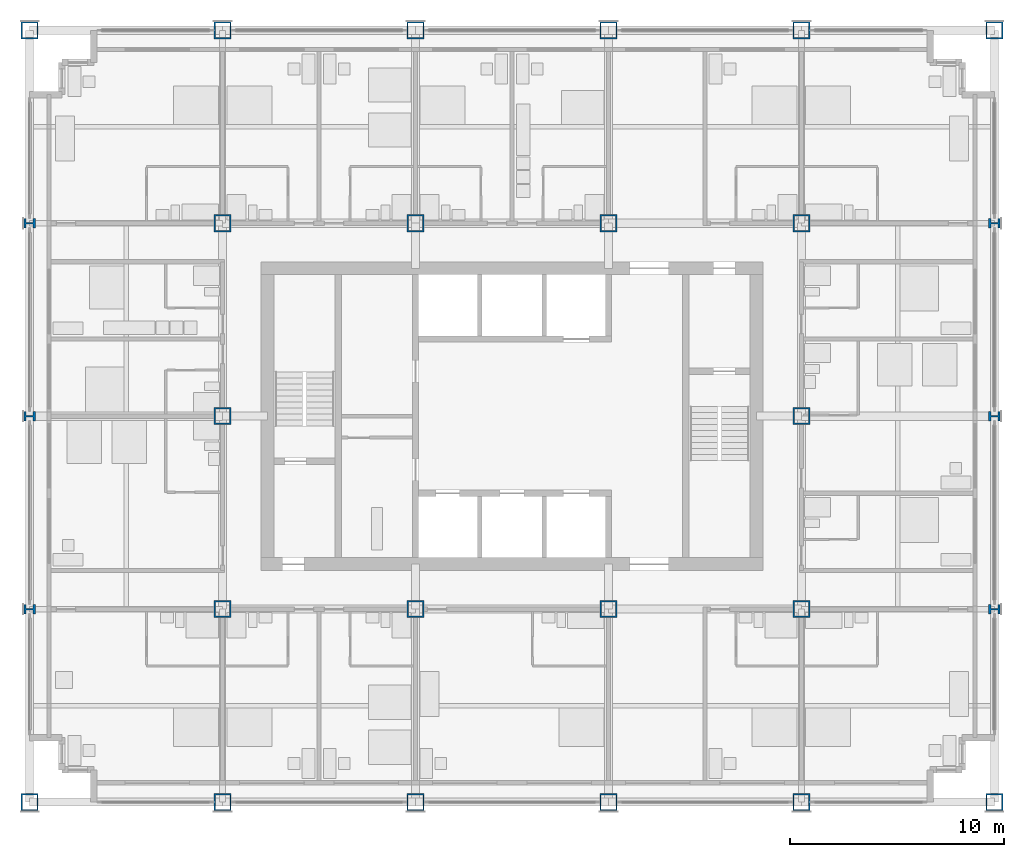
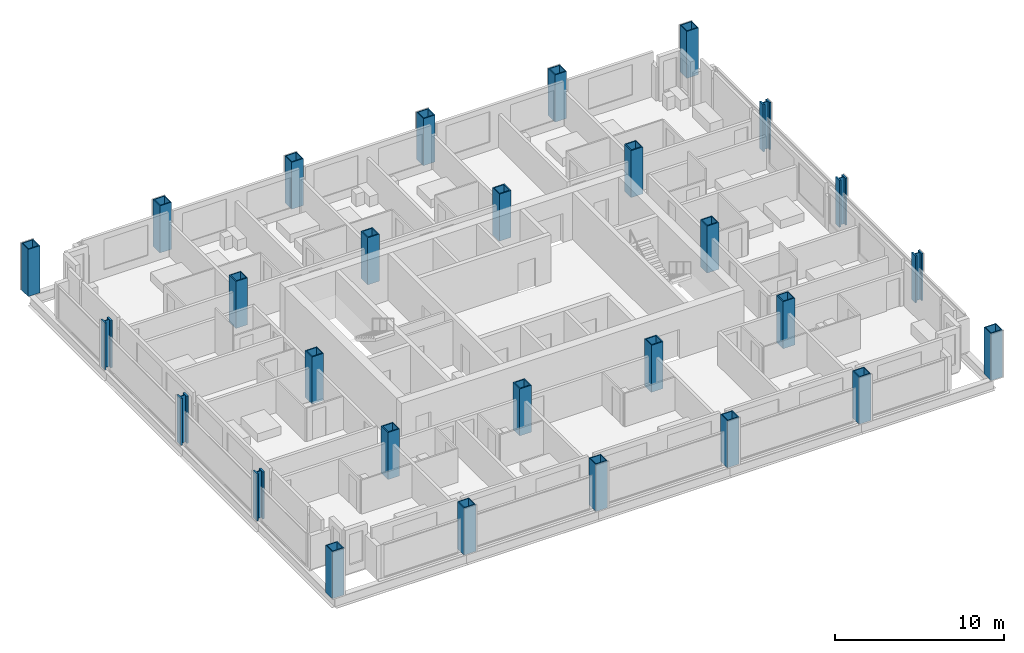
# One storey, part 1 of 17: 28 columns.
"""IFC4 building model written with IfcOpenShell, lengths in metres."""

from ifc_helpers import new_model, si_unit, direction, frame, origin, origin_2d, place, context, subcontext, project, spatial, hollow_rectangle, i_section, extrude, material, material_profile, profile_set, type_object, element, save


model = new_model("IFC4")

# Units and contexts
model_context = context("Model", 3, precision=1e-05, world=origin(), true_north=direction((0.0, 1.0)))
body_context = subcontext(model_context, "Body", "Model", "MODEL_VIEW")
ifc_project = project(units=[si_unit("LENGTHUNIT", "METRE"), si_unit("AREAUNIT", "SQUARE_METRE"), si_unit("VOLUMEUNIT", "CUBIC_METRE"), si_unit("PLANEANGLEUNIT", "RADIAN"), si_unit("MASSUNIT", "GRAM", prefix="KILO")], contexts=[model_context])

# Site, building, storey
site_placement = place(None, origin())
site = spatial("IfcSite", under=ifc_project, at=site_placement, CompositionType="ELEMENT")
building_placement = place(site_placement, origin())
building = spatial("IfcBuilding", under=site, at=building_placement, Name="Loomwork Tower", CompositionType="ELEMENT")
storey_placement = place(building_placement, frame((0.0, 0.0, 141.800048828125)))
storey = spatial("IfcBuildingStorey", under=building, at=storey_placement, Name="L38", CompositionType="ELEMENT", Elevation=141.800048828125)

# Columns
ifc_material_1 = material(Name="Steel ASTM A572 Grade 50 plate", Category="steel")
ifc_material_profile_1 = material_profile(ifc_material_1, hollow_rectangle(XDim=0.800048828125, YDim=0.800048828125, WallThickness=0.06005859375, at=origin_2d()), Name="BOX800x60")
ifc_profile_set_1 = profile_set([ifc_material_profile_1], Name="Steel ASTM A572 Grade 50 plate")
column_type_1 = type_object("IfcColumnType", Name="EXOSKELETON PIER BOX800x60", PredefinedType="COLUMN", material=ifc_profile_set_1)
for number, where, z_axis, x_axis, name in (
    (1, (0.0, 0.0, 0.0), (0.0, 0.0, 1.0), (1.0, 0.0, 0.0), "Exoskeleton Pier D/2 L38"),
    (2, (0.0, 36.0, 0.0), (0.0, 0.0, 1.0), (1.0, 0.0, 0.0), "Exoskeleton Pier H/2 L38"),
    (3, (9.0, 0.0, 0.0), (0.0, 0.0, 1.0), (1.0, 0.0, 0.0), "Exoskeleton Pier D/3 L38"),
    (4, (9.0, 36.0, 0.0), (0.0, 0.0, 1.0), (1.0, 0.0, 0.0), "Exoskeleton Pier H/3 L38"),
    (5, (18.0, 0.0, 0.0), (0.0, 0.0, 1.0), (1.0, 0.0, 0.0), "Exoskeleton Pier D/4 L38"),
    (6, (18.0, 36.0, 0.0), (0.0, 0.0, 1.0), (1.0, 0.0, 0.0), "Exoskeleton Pier H/4 L38"),
    (7, (27.0, 0.0, 0.0), (0.0, 0.0, 1.0), (1.0, 0.0, 0.0), "Exoskeleton Pier D/5 L38"),
    (8, (27.0, 36.0, 0.0), (0.0, 0.0, 1.0), (1.0, 0.0, 0.0), "Exoskeleton Pier H/5 L38"),
    (9, (36.0, 0.0, 0.0), (0.0, 0.0, 1.0), (1.0, 0.0, 0.0), "Exoskeleton Pier D/6 L38"),
    (10, (36.0, 36.0, 0.0), (0.0, 0.0, 1.0), (1.0, 0.0, 0.0), "Exoskeleton Pier H/6 L38"),
    (11, (45.0, 0.0, 0.0), (0.0, 0.0, 1.0), (1.0, 0.0, 0.0), "Exoskeleton Pier D/7 L38"),
    (12, (45.0, 36.0, 0.0), (0.0, 0.0, 1.0), (1.0, 0.0, 0.0), "Exoskeleton Pier H/7 L38"),
):
    element("IfcColumn", number, at=place(storey_placement, frame(where, z_axis=z_axis, x_axis=x_axis)), inside=storey, type_object=column_type_1, Name=name, PredefinedType="COLUMN", context=body_context, shape_type="SweptSolid", body=[
        extrude(hollow_rectangle(XDim=0.800048828125, YDim=0.800048828125, WallThickness=0.06005859375, at=origin_2d()), origin(), (0.0, 0.0, 1.0), 3.39990234375),
    ])
ifc_material_2 = material(Name="Steel ASTM A992", Category="steel")
ifc_material_profile_2 = material_profile(ifc_material_2, i_section(OverallWidth=0.44189453125, OverallDepth=0.53076171875, WebThickness=0.06591796875, FlangeThickness=0.105712890625, at=origin_2d()), Name="W14x605")
ifc_profile_set_2 = profile_set([ifc_material_profile_2], Name="Steel ASTM A992")
column_type_2 = type_object("IfcColumnType", Name="EXOSKELETON PIER W14x605", PredefinedType="COLUMN", material=ifc_profile_set_2)
for number, where, z_axis, x_axis, name in (
    (13, (0.0, 9.0, 0.0), (0.0, 0.0, 1.0), (0.0, 1.0, 0.0), "Exoskeleton Pier E/2 L38"),
    (14, (0.0, 18.0, 0.0), (0.0, 0.0, 1.0), (0.0, 1.0, 0.0), "Exoskeleton Pier F/2 L38"),
    (15, (0.0, 27.0, 0.0), (0.0, 0.0, 1.0), (0.0, 1.0, 0.0), "Exoskeleton Pier G/2 L38"),
    (16, (45.0, 9.0, 0.0), (0.0, 0.0, 1.0), (0.0, 1.0, 0.0), "Exoskeleton Pier E/7 L38"),
    (17, (45.0, 18.0, 0.0), (0.0, 0.0, 1.0), (0.0, 1.0, 0.0), "Exoskeleton Pier F/7 L38"),
    (18, (45.0, 27.0, 0.0), (0.0, 0.0, 1.0), (0.0, 1.0, 0.0), "Exoskeleton Pier G/7 L38"),
):
    element("IfcColumn", number, at=place(storey_placement, frame(where, z_axis=z_axis, x_axis=x_axis)), inside=storey, type_object=column_type_2, Name=name, PredefinedType="COLUMN", context=body_context, shape_type="SweptSolid", body=[
        extrude(i_section(OverallWidth=0.44189453125, OverallDepth=0.53076171875, WebThickness=0.06591796875, FlangeThickness=0.105712890625, at=origin_2d()), origin(), (0.0, 0.0, 1.0), 3.39990234375),
    ])
ifc_material_3 = material(Name="Steel ASTM A572 Grade 50 plate", Category="steel")
ifc_material_profile_3 = material_profile(ifc_material_3, hollow_rectangle(XDim=0.800048828125, YDim=0.800048828125, WallThickness=0.070068359375, at=origin_2d()), Name="BOX800x70")
ifc_profile_set_3 = profile_set([ifc_material_profile_3], Name="Steel ASTM A572 Grade 50 plate")
column_type_3 = type_object("IfcColumnType", Name="TOWER COLUMN BOX800x70", PredefinedType="COLUMN", material=ifc_profile_set_3)
for number, where, z_axis, x_axis, name in (
    (19, (9.0, 9.0, 0.0), (0.0, 0.0, 1.0), (1.0, 0.0, 0.0), "Tower Column E/3 L38"),
    (20, (9.0, 18.0, 0.0), (0.0, 0.0, 1.0), (1.0, 0.0, 0.0), "Tower Column F/3 L38"),
    (21, (9.0, 27.0, 0.0), (0.0, 0.0, 1.0), (1.0, 0.0, 0.0), "Tower Column G/3 L38"),
    (22, (18.0, 9.0, 0.0), (0.0, 0.0, 1.0), (1.0, 0.0, 0.0), "Tower Column E/4 L38"),
    (23, (18.0, 27.0, 0.0), (0.0, 0.0, 1.0), (1.0, 0.0, 0.0), "Tower Column G/4 L38"),
    (24, (27.0, 9.0, 0.0), (0.0, 0.0, 1.0), (1.0, 0.0, 0.0), "Tower Column E/5 L38"),
    (25, (27.0, 27.0, 0.0), (0.0, 0.0, 1.0), (1.0, 0.0, 0.0), "Tower Column G/5 L38"),
    (26, (36.0, 9.0, 0.0), (0.0, 0.0, 1.0), (0.0, 1.0, 0.0), "Tower Column E/6 L38"),
    (27, (36.0, 18.0, 0.0), (0.0, 0.0, 1.0), (0.0, 1.0, 0.0), "Tower Column F/6 L38"),
    (28, (36.0, 27.0, 0.0), (0.0, 0.0, 1.0), (1.0, 0.0, 0.0), "Tower Column G/6 L38"),
):
    element("IfcColumn", number, at=place(storey_placement, frame(where, z_axis=z_axis, x_axis=x_axis)), inside=storey, type_object=column_type_3, Name=name, PredefinedType="COLUMN", context=body_context, shape_type="SweptSolid", body=[
        extrude(hollow_rectangle(XDim=0.800048828125, YDim=0.800048828125, WallThickness=0.070068359375, at=origin_2d()), origin(), (0.0, 0.0, 1.0), 3.39990234375),
    ])

save(model, "model.ifc")
